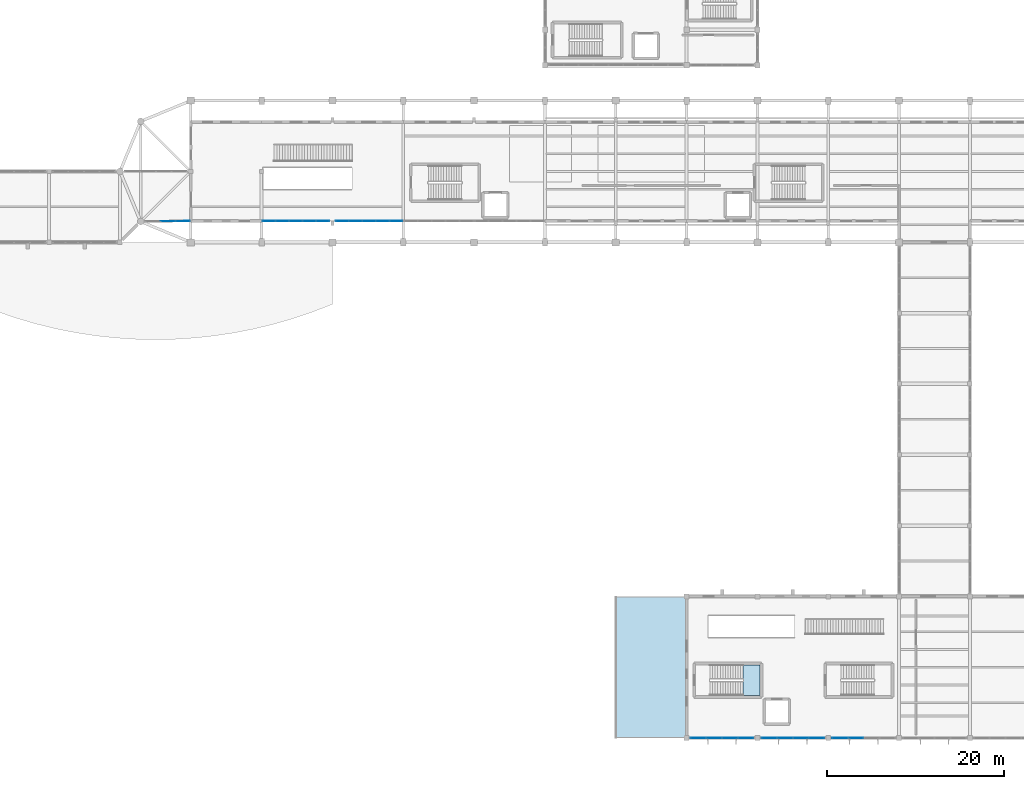
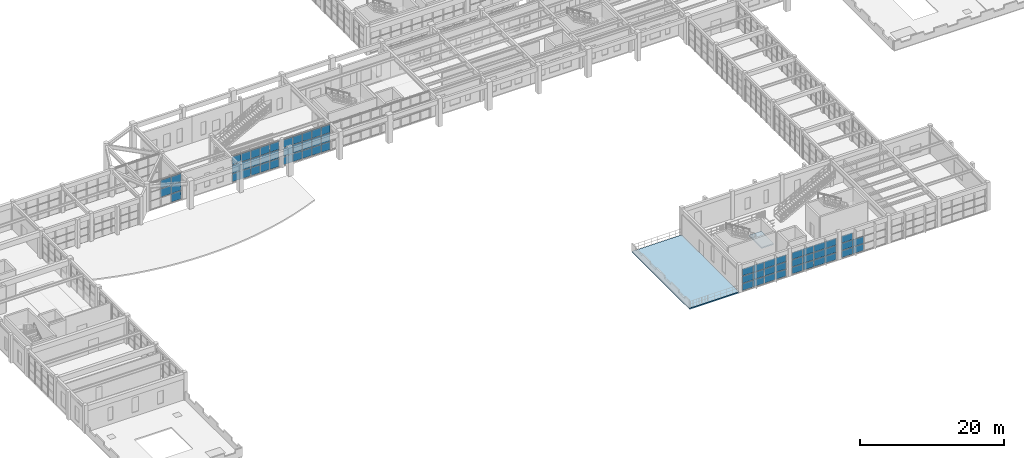
# One storey, part 30 of 59: 64 plates, 2 slabs, 7 elements without a shape of their own.
"""IFC4 building model written with IfcOpenShell, lengths in metres."""

import ifcopenshell
import ifcopenshell.guid

model = None  # the IFC model being written
_history = None  # IfcOwnerHistory: only IFC2X3 demands one
_inside = {}  # id of a spatial element -> (the spatial element, [elements in it])
_under = {}  # id of a project, library or spatial element -> (it, [spatial elements below it])
_declared = {}  # id of a project -> (the project, [libraries it declares])
_typed = {}  # id of a type object -> (the type object, [elements of that type])
_made_of = {}  # id of a material, layer set ... -> (it, [elements and type objects made of it])


def new_model(schema):
    """Start an empty IFC model of exactly this schema.

    Asked for "IFC4X3", IfcOpenShell would pick the latest addendum, in which some entities
    have other attributes; the version numbers below select the first issue.
    IFC2X3 requires an IfcOwnerHistory on every rooted entity: one is made here for all.
    """
    global model, _history
    if schema == "IFC4X3":
        model = ifcopenshell.file(schema_version=(4, 3, 0, 0))
    else:
        model = ifcopenshell.file(schema=schema)
    _inside.clear()
    _under.clear()
    _declared.clear()
    _typed.clear()
    _made_of.clear()
    _history = None
    if model.schema == "IFC2X3":
        org = make("IfcOrganization", Name="unknown")
        user = make(
            "IfcPersonAndOrganization",
            ThePerson=make("IfcPerson", FamilyName="unknown"),
            TheOrganization=org,
        )
        app = make(
            "IfcApplication",
            ApplicationDeveloper=org,
            Version="unknown",
            ApplicationFullName="unknown",
            ApplicationIdentifier="unknown",
        )
        _history = make(
            "IfcOwnerHistory",
            OwningUser=user,
            OwningApplication=app,
            ChangeAction="ADDED",
            CreationDate=0,
        )
    return model


def make(cls, **values):
    """One entity of the class cls with the attributes given. An attribute that is None is left unset."""
    return model.create_entity(
        cls, **{name: value for name, value in values.items() if value is not None}
    )


def rooted(cls, **values):
    """An entity with a GlobalId (a new one), such as an element, a storey or a relation."""
    return make(cls, GlobalId=ifcopenshell.guid.new(), OwnerHistory=_history, **values)


def si_unit(unit_type, name, prefix=None):
    """IfcSIUnit, for example si_unit("LENGTHUNIT", "METRE", prefix="MILLI")."""
    return make("IfcSIUnit", UnitType=unit_type, Prefix=prefix, Name=name)


def assignment(units):
    """IfcUnitAssignment: the units of a project."""
    return None if units is None else make("IfcUnitAssignment", Units=units)


def point(xyz):
    """IfcCartesianPoint."""
    return None if xyz is None else make("IfcCartesianPoint", Coordinates=xyz)


def direction(xyz):
    """IfcDirection."""
    return None if xyz is None else make("IfcDirection", DirectionRatios=xyz)


def frame(location, z_axis=None, x_axis=None):
    """IfcAxis2Placement3D, a coordinate frame: its origin and axes. An axis left out is left unset."""
    return make(
        "IfcAxis2Placement3D",
        Location=point(location),
        Axis=direction(z_axis),
        RefDirection=direction(x_axis),
    )


def frame_2d(location, x_axis=None):
    """IfcAxis2Placement2D, a coordinate frame in the plane: its origin and x axis."""
    return make(
        "IfcAxis2Placement2D", Location=point(location), RefDirection=direction(x_axis)
    )


def origin():
    """The frame at (0, 0, 0) with its axes left unset."""
    return frame((0.0, 0.0, 0.0))


def origin_2d():
    """The frame at (0, 0) in the plane with its x axis left unset."""
    return frame_2d((0.0, 0.0))


def place(relative_to, where):
    """IfcLocalPlacement: puts the frame where relative to a parent placement (None: the world)."""
    return make(
        "IfcLocalPlacement", PlacementRelTo=relative_to, RelativePlacement=where
    )


def context(
    kind, dimensions, precision=None, world=None, true_north=None, identifier=None
):
    """IfcGeometricRepresentationContext, for example the 3D "Model" context."""
    return make(
        "IfcGeometricRepresentationContext",
        ContextIdentifier=identifier,
        ContextType=kind,
        CoordinateSpaceDimension=dimensions,
        Precision=precision,
        WorldCoordinateSystem=world,
        TrueNorth=true_north,
    )


def subcontext(parent, identifier, kind, view, scale=None):
    """IfcGeometricRepresentationSubContext, for example "Body" below "Model"."""
    return make(
        "IfcGeometricRepresentationSubContext",
        ContextIdentifier=identifier,
        ContextType=kind,
        ParentContext=parent,
        TargetScale=scale,
        TargetView=view,
    )


def project(units=None, contexts=None):
    """IfcProject with its units and contexts."""
    return rooted(
        "IfcProject",
        Name="project",
        RepresentationContexts=contexts,
        UnitsInContext=assignment(units),
    )


def spatial(cls, under=None, at=None, **own):
    """A site, building, storey or space (cls), placed at a placement, below another one or the project."""
    s = rooted(cls, ObjectPlacement=at, **own)
    if under is not None:
        _under.setdefault(under.id(), (under, []))[1].append(s)
    return s


def polyline(points):
    """IfcPolyline through the points."""
    return make("IfcPolyline", Points=[point(p) for p in points])


def profile(cls, at=None, kind="AREA", **sizes):
    """A parametric profile (cls). Its sizes go by their IFC names, for example OverallWidth=200.0."""
    return make(cls, ProfileType=kind, Position=at, **sizes)


def rectangle(**sizes):
    """IfcRectangleProfileDef."""
    return profile("IfcRectangleProfileDef", **sizes)


def outline(outer, holes=None, kind="AREA"):
    """IfcArbitraryClosedProfileDef: a profile drawn as a closed curve; with holes, ...WithVoids."""
    if holes is None:
        return make("IfcArbitraryClosedProfileDef", ProfileType=kind, OuterCurve=outer)
    return make(
        "IfcArbitraryProfileDefWithVoids",
        ProfileType=kind,
        OuterCurve=outer,
        InnerCurves=holes,
    )


def extrude(swept, where, along, depth):
    """IfcExtrudedAreaSolid: the profile swept, set in the frame where, extruded along a direction by depth."""
    return make(
        "IfcExtrudedAreaSolid",
        SweptArea=swept,
        Position=where,
        ExtrudedDirection=direction(along),
        Depth=depth,
    )


def shape(context_of_items, identifier, shape_type, items):
    """IfcShapeRepresentation: the items that make up one representation, for example the "Body"."""
    return make(
        "IfcShapeRepresentation",
        ContextOfItems=context_of_items,
        RepresentationIdentifier=identifier,
        RepresentationType=shape_type,
        Items=items,
    )


def material(Name=None, Category=None):
    """IfcMaterial."""
    return make("IfcMaterial", Name=Name, Category=Category)


def layer(
    of_material, thickness, ventilated=None, Name=None, Category=None, Priority=None
):
    """IfcMaterialLayer: one layer of a wall or slab, of a material (None: an air gap)."""
    return make(
        "IfcMaterialLayer",
        Material=of_material,
        LayerThickness=thickness,
        IsVentilated=ventilated,
        Name=Name,
        Category=Category,
        Priority=Priority,
    )


def layer_set(layers, Name=None):
    """IfcMaterialLayerSet."""
    return make("IfcMaterialLayerSet", MaterialLayers=layers, LayerSetName=Name)


def made_of(thing, what):
    """Note that an element or type object is made of a material, layer set ...; save() writes the relation."""
    if what is not None:
        _made_of.setdefault(what.id(), (what, []))[1].append(thing)
    return thing


def type_object(cls, material=None, **own):
    """A type object (cls), such as IfcWallType, which elements share."""
    return made_of(rooted(cls, **own), material)


def element(
    cls,
    number,
    at=None,
    inside=None,
    cuts=None,
    type_object=None,
    material=None,
    context=None,
    identifier="Body",
    shape_type=None,
    held_by="IfcProductDefinitionShape",
    body=None,
    shapes=None,
    **own,
):
    """One element of the class cls, such as IfcWall. Its Tag is "e" and its number.

    at: its placement. inside: the storey or other place that contains it. cuts: it is an
    opening in that element (IfcRelVoidsElement). A single representation is given by context,
    identifier, shape_type and body (its items); several are given by shapes. held_by: the class
    of the entity that holds the representations. save() writes the other relations.
    """
    e = rooted(cls, Tag="e%d" % number, ObjectPlacement=at, **own)
    if body is not None:
        shapes = [shape(context, identifier, shape_type, body)]
    if shapes is not None:
        e.Representation = make(held_by, Representations=shapes)
    if inside is not None:
        _inside.setdefault(inside.id(), (inside, []))[1].append(e)
    if cuts is not None:
        rooted(
            "IfcRelVoidsElement", RelatingBuildingElement=cuts, RelatedOpeningElement=e
        )
    if type_object is not None:
        _typed.setdefault(type_object.id(), (type_object, []))[1].append(e)
    return made_of(e, material)


def aggregate(whole, parts):
    """IfcRelAggregates: a whole, such as a stair, and the parts it consists of."""
    return rooted("IfcRelAggregates", RelatingObject=whole, RelatedObjects=parts)


def save(model, path):
    """Write the relations noted so far, then the file.

    IfcRelAggregates (storeys below a building ...), IfcRelContainedInSpatialStructure (elements
    in a storey), IfcRelDefinesByType, IfcRelAssociatesMaterial and IfcRelDeclares: one each for
    every whole, place, type object, material and project.
    """
    for whole, parts in _under.values():
        aggregate(whole, parts)
    for where, things in _inside.values():
        rooted(
            "IfcRelContainedInSpatialStructure",
            RelatedElements=things,
            RelatingStructure=where,
        )
    for kind, things in _typed.values():
        rooted("IfcRelDefinesByType", RelatedObjects=things, RelatingType=kind)
    for what, things in _made_of.values():
        rooted("IfcRelAssociatesMaterial", RelatedObjects=things, RelatingMaterial=what)
    for by, libraries in _declared.values():
        rooted("IfcRelDeclares", RelatingContext=by, RelatedDefinitions=libraries)
    model.write(path)


model = new_model("IFC4")

# Units and contexts
model_context = context("Model", 3, precision=1e-05, world=origin(), true_north=direction((0.0, 1.0)))
body_context = subcontext(model_context, "Body", "Model", "MODEL_VIEW")
ifc_project = project(units=[si_unit("LENGTHUNIT", "METRE"), si_unit("AREAUNIT", "SQUARE_METRE"), si_unit("VOLUMEUNIT", "CUBIC_METRE"), si_unit("PLANEANGLEUNIT", "RADIAN"), si_unit("MASSUNIT", "GRAM", prefix="KILO")], contexts=[model_context])

# Site, building, storey
site_placement = place(None, origin())
site = spatial("IfcSite", under=ifc_project, at=site_placement, CompositionType="ELEMENT")
building_placement = place(site_placement, origin())
building = spatial("IfcBuilding", under=site, at=building_placement, Name="Serraluz Foothill Cableway Terminal", CompositionType="ELEMENT")
storey_placement = place(building_placement, frame((0.0, 0.0, 4.800048828125)))
storey = spatial("IfcBuildingStorey", under=building, at=storey_placement, Name="L01", CompositionType="ELEMENT", Elevation=4.800048828125)

# Curtain wall, plates
ifc_material_1 = material(Name="Architectural bronze alloy C28000", Category="aluminium")
curtain_wall_type_1 = type_object("IfcCurtainWallType", Name="TYP-CW-730X430", PredefinedType="NOTDEFINED", material=ifc_material_1)
curtain_wall_1_placement = place(storey_placement, origin())
curtain_wall_1 = element("IfcCurtainWall", 1, at=curtain_wall_1_placement, inside=storey, type_object=curtain_wall_type_1, Name="Ribbed Glazed Curtain Wall CW-V1S-L01-48", PredefinedType="NOTDEFINED")
ifc_material_2 = material(Name="Translucent ribbed laminated channel glass", Category="glass")
ifc_layer_1 = layer(ifc_material_2, 0.028076171875, Name="Translucent ribbed laminated channel glass", Category="glass")
ifc_layer_set_1 = layer_set([ifc_layer_1], Name="Translucent ribbed laminated channel glass")
plate_type_1 = type_object("IfcPlateType", Name="TYP-CW-PNL-28", PredefinedType="CURTAIN_PANEL", material=ifc_layer_set_1)
plate_1_placement = place(storey_placement, frame((54.90673828125, 58.39990234375, 0.06005859375), z_axis=(0.0, 0.0, 1.0), x_axis=(-1.0, 0.0, 0.0)))
plate_1 = element("IfcPlate", 2, at=plate_1_placement, type_object=plate_type_1, Name="CW-05 panel 1.1", PredefinedType="CURTAIN_PANEL", context=body_context, shape_type="SweptSolid", body=[
    extrude(rectangle(XDim=1.4365234375, YDim=0.028076171875, at=origin_2d()), origin(), (0.0, 0.0, 1.0), 1.38330078125),
])
plate_2_placement = place(storey_placement, frame((54.90673828125, 58.39990234375, 1.50341796875), z_axis=(0.0, 0.0, 1.0), x_axis=(-1.0, 0.0, 0.0)))
plate_2 = element("IfcPlate", 3, at=plate_2_placement, type_object=plate_type_1, Name="CW-05 panel 1.2", PredefinedType="CURTAIN_PANEL", context=body_context, shape_type="SweptSolid", body=[
    extrude(rectangle(XDim=1.4365234375, YDim=0.028076171875, at=origin_2d()), origin(), (0.0, 0.0, 1.0), 1.413330078125),
])
plate_3_placement = place(storey_placement, frame((54.90673828125, 58.39990234375, 2.9765625), z_axis=(0.0, 0.0, 1.0), x_axis=(-1.0, 0.0, 0.0)))
plate_3 = element("IfcPlate", 4, at=plate_3_placement, type_object=plate_type_1, Name="CW-05 panel 1.3", PredefinedType="CURTAIN_PANEL", context=body_context, shape_type="SweptSolid", body=[
    extrude(rectangle(XDim=1.4365234375, YDim=0.028076171875, at=origin_2d()), origin(), (0.0, 0.0, 1.0), 1.38330078125),
])
plate_4_placement = place(storey_placement, frame((53.39501953125, 58.39990234375, 0.06005859375), z_axis=(0.0, 0.0, 1.0), x_axis=(-1.0, 0.0, 0.0)))
plate_4 = element("IfcPlate", 5, at=plate_4_placement, type_object=plate_type_1, Name="CW-05 panel 2.1", PredefinedType="CURTAIN_PANEL", context=body_context, shape_type="SweptSolid", body=[
    extrude(rectangle(XDim=1.466552734375, YDim=0.028076171875, at=origin_2d()), origin(), (0.0, 0.0, 1.0), 1.38330078125),
])
plate_5_placement = place(storey_placement, frame((53.39501953125, 58.39990234375, 1.50341796875), z_axis=(0.0, 0.0, 1.0), x_axis=(-1.0, 0.0, 0.0)))
plate_5 = element("IfcPlate", 6, at=plate_5_placement, type_object=plate_type_1, Name="CW-05 panel 2.2", PredefinedType="CURTAIN_PANEL", context=body_context, shape_type="SweptSolid", body=[
    extrude(rectangle(XDim=1.466552734375, YDim=0.028076171875, at=origin_2d()), origin(), (0.0, 0.0, 1.0), 1.413330078125),
])
plate_6_placement = place(storey_placement, frame((53.39501953125, 58.39990234375, 2.9765625), z_axis=(0.0, 0.0, 1.0), x_axis=(-1.0, 0.0, 0.0)))
plate_6 = element("IfcPlate", 7, at=plate_6_placement, type_object=plate_type_1, Name="CW-05 panel 2.3", PredefinedType="CURTAIN_PANEL", context=body_context, shape_type="SweptSolid", body=[
    extrude(rectangle(XDim=1.466552734375, YDim=0.028076171875, at=origin_2d()), origin(), (0.0, 0.0, 1.0), 1.38330078125),
])
plate_7_placement = place(storey_placement, frame((51.868408203125, 58.39990234375, 0.06005859375), z_axis=(0.0, 0.0, 1.0), x_axis=(-1.0, 0.0, 0.0)))
plate_7 = element("IfcPlate", 8, at=plate_7_placement, type_object=plate_type_1, Name="CW-05 panel 3.1", PredefinedType="CURTAIN_PANEL", context=body_context, shape_type="SweptSolid", body=[
    extrude(rectangle(XDim=1.466552734375, YDim=0.028076171875, at=origin_2d()), origin(), (0.0, 0.0, 1.0), 1.38330078125),
])
plate_8_placement = place(storey_placement, frame((51.868408203125, 58.39990234375, 1.50341796875), z_axis=(0.0, 0.0, 1.0), x_axis=(-1.0, 0.0, 0.0)))
plate_8 = element("IfcPlate", 9, at=plate_8_placement, type_object=plate_type_1, Name="CW-05 panel 3.2", PredefinedType="CURTAIN_PANEL", context=body_context, shape_type="SweptSolid", body=[
    extrude(rectangle(XDim=1.466552734375, YDim=0.028076171875, at=origin_2d()), origin(), (0.0, 0.0, 1.0), 1.413330078125),
])
plate_9_placement = place(storey_placement, frame((51.868408203125, 58.39990234375, 2.9765625), z_axis=(0.0, 0.0, 1.0), x_axis=(-1.0, 0.0, 0.0)))
plate_9 = element("IfcPlate", 10, at=plate_9_placement, type_object=plate_type_1, Name="CW-05 panel 3.3", PredefinedType="CURTAIN_PANEL", context=body_context, shape_type="SweptSolid", body=[
    extrude(rectangle(XDim=1.466552734375, YDim=0.028076171875, at=origin_2d()), origin(), (0.0, 0.0, 1.0), 1.38330078125),
])
plate_10_placement = place(storey_placement, frame((50.341796875, 58.39990234375, 0.06005859375), z_axis=(0.0, 0.0, 1.0), x_axis=(-1.0, 0.0, 0.0)))
plate_10 = element("IfcPlate", 11, at=plate_10_placement, type_object=plate_type_1, Name="CW-05 panel 4.1", PredefinedType="CURTAIN_PANEL", context=body_context, shape_type="SweptSolid", body=[
    extrude(rectangle(XDim=1.466552734375, YDim=0.028076171875, at=origin_2d()), origin(), (0.0, 0.0, 1.0), 1.38330078125),
])
plate_11_placement = place(storey_placement, frame((50.341796875, 58.39990234375, 1.50341796875), z_axis=(0.0, 0.0, 1.0), x_axis=(-1.0, 0.0, 0.0)))
plate_11 = element("IfcPlate", 12, at=plate_11_placement, type_object=plate_type_1, Name="CW-05 panel 4.2", PredefinedType="CURTAIN_PANEL", context=body_context, shape_type="SweptSolid", body=[
    extrude(rectangle(XDim=1.466552734375, YDim=0.028076171875, at=origin_2d()), origin(), (0.0, 0.0, 1.0), 1.413330078125),
])
plate_12_placement = place(storey_placement, frame((50.341796875, 58.39990234375, 2.9765625), z_axis=(0.0, 0.0, 1.0), x_axis=(-1.0, 0.0, 0.0)))
plate_12 = element("IfcPlate", 13, at=plate_12_placement, type_object=plate_type_1, Name="CW-05 panel 4.3", PredefinedType="CURTAIN_PANEL", context=body_context, shape_type="SweptSolid", body=[
    extrude(rectangle(XDim=1.466552734375, YDim=0.028076171875, at=origin_2d()), origin(), (0.0, 0.0, 1.0), 1.38330078125),
])
plate_13_placement = place(storey_placement, frame((48.830322265625, 58.39990234375, 0.06005859375), z_axis=(0.0, 0.0, 1.0), x_axis=(-1.0, 0.0, 0.0)))
plate_13 = element("IfcPlate", 14, at=plate_13_placement, type_object=plate_type_1, Name="CW-05 panel 5.1", PredefinedType="CURTAIN_PANEL", context=body_context, shape_type="SweptSolid", body=[
    extrude(rectangle(XDim=1.4365234375, YDim=0.028076171875, at=origin_2d()), origin(), (0.0, 0.0, 1.0), 1.38330078125),
])
plate_14_placement = place(storey_placement, frame((48.830322265625, 58.39990234375, 1.50341796875), z_axis=(0.0, 0.0, 1.0), x_axis=(-1.0, 0.0, 0.0)))
plate_14 = element("IfcPlate", 15, at=plate_14_placement, type_object=plate_type_1, Name="CW-05 panel 5.2", PredefinedType="CURTAIN_PANEL", context=body_context, shape_type="SweptSolid", body=[
    extrude(rectangle(XDim=1.4365234375, YDim=0.028076171875, at=origin_2d()), origin(), (0.0, 0.0, 1.0), 1.413330078125),
])
plate_15_placement = place(storey_placement, frame((48.830322265625, 58.39990234375, 2.9765625), z_axis=(0.0, 0.0, 1.0), x_axis=(-1.0, 0.0, 0.0)))
plate_15 = element("IfcPlate", 16, at=plate_15_placement, type_object=plate_type_1, Name="CW-05 panel 5.3", PredefinedType="CURTAIN_PANEL", context=body_context, shape_type="SweptSolid", body=[
    extrude(rectangle(XDim=1.4365234375, YDim=0.028076171875, at=origin_2d()), origin(), (0.0, 0.0, 1.0), 1.38330078125),
])
aggregate(curtain_wall_1, [plate_1, plate_2, plate_3, plate_4, plate_5, plate_6, plate_7, plate_8, plate_9, plate_10, plate_11, plate_12, plate_13, plate_14, plate_15])

curtain_wall_type_2 = type_object("IfcCurtainWallType", Name="TYP-CW-740X440", PredefinedType="NOTDEFINED", material=ifc_material_1)
curtain_wall_2_placement = place(storey_placement, origin())
curtain_wall_2 = element("IfcCurtainWall", 17, at=curtain_wall_2_placement, inside=storey, type_object=curtain_wall_type_2, Name="Ribbed Glazed Curtain Wall CW-V1S-L01-56", PredefinedType="NOTDEFINED")
plate_16_placement = place(storey_placement, frame((63.169677734375, 58.39990234375, 0.06005859375), z_axis=(0.0, 0.0, 1.0), x_axis=(-1.0, 0.0, 0.0)))
plate_16 = element("IfcPlate", 18, at=plate_16_placement, type_object=plate_type_1, Name="CW-06 panel 1.1", PredefinedType="CURTAIN_PANEL", context=body_context, shape_type="SweptSolid", body=[
    extrude(rectangle(XDim=1.4365234375, YDim=0.028076171875, at=origin_2d()), origin(), (0.0, 0.0, 1.0), 1.38330078125),
])
plate_17_placement = place(storey_placement, frame((63.169677734375, 58.39990234375, 1.50341796875), z_axis=(0.0, 0.0, 1.0), x_axis=(-1.0, 0.0, 0.0)))
plate_17 = element("IfcPlate", 19, at=plate_17_placement, type_object=plate_type_1, Name="CW-06 panel 1.2", PredefinedType="CURTAIN_PANEL", context=body_context, shape_type="SweptSolid", body=[
    extrude(rectangle(XDim=1.4365234375, YDim=0.028076171875, at=origin_2d()), origin(), (0.0, 0.0, 1.0), 1.413330078125),
])
plate_18_placement = place(storey_placement, frame((63.169677734375, 58.39990234375, 2.9765625), z_axis=(0.0, 0.0, 1.0), x_axis=(-1.0, 0.0, 0.0)))
plate_18 = element("IfcPlate", 20, at=plate_18_placement, type_object=plate_type_1, Name="CW-06 panel 1.3", PredefinedType="CURTAIN_PANEL", context=body_context, shape_type="SweptSolid", body=[
    extrude(rectangle(XDim=1.4365234375, YDim=0.028076171875, at=origin_2d()), origin(), (0.0, 0.0, 1.0), 1.38330078125),
])
plate_19_placement = place(storey_placement, frame((61.658203125, 58.39990234375, 0.06005859375), z_axis=(0.0, 0.0, 1.0), x_axis=(-1.0, 0.0, 0.0)))
plate_19 = element("IfcPlate", 21, at=plate_19_placement, type_object=plate_type_1, Name="CW-06 panel 2.1", PredefinedType="CURTAIN_PANEL", context=body_context, shape_type="SweptSolid", body=[
    extrude(rectangle(XDim=1.466552734375, YDim=0.028076171875, at=origin_2d()), origin(), (0.0, 0.0, 1.0), 1.38330078125),
])
plate_20_placement = place(storey_placement, frame((61.658203125, 58.39990234375, 1.50341796875), z_axis=(0.0, 0.0, 1.0), x_axis=(-1.0, 0.0, 0.0)))
plate_20 = element("IfcPlate", 22, at=plate_20_placement, type_object=plate_type_1, Name="CW-06 panel 2.2", PredefinedType="CURTAIN_PANEL", context=body_context, shape_type="SweptSolid", body=[
    extrude(rectangle(XDim=1.466552734375, YDim=0.028076171875, at=origin_2d()), origin(), (0.0, 0.0, 1.0), 1.413330078125),
])
plate_21_placement = place(storey_placement, frame((61.658203125, 58.39990234375, 2.9765625), z_axis=(0.0, 0.0, 1.0), x_axis=(-1.0, 0.0, 0.0)))
plate_21 = element("IfcPlate", 23, at=plate_21_placement, type_object=plate_type_1, Name="CW-06 panel 2.3", PredefinedType="CURTAIN_PANEL", context=body_context, shape_type="SweptSolid", body=[
    extrude(rectangle(XDim=1.466552734375, YDim=0.028076171875, at=origin_2d()), origin(), (0.0, 0.0, 1.0), 1.38330078125),
])
plate_22_placement = place(storey_placement, frame((60.131591796875, 58.39990234375, 0.06005859375), z_axis=(0.0, 0.0, 1.0), x_axis=(-1.0, 0.0, 0.0)))
plate_22 = element("IfcPlate", 24, at=plate_22_placement, type_object=plate_type_1, Name="CW-06 panel 3.1", PredefinedType="CURTAIN_PANEL", context=body_context, shape_type="SweptSolid", body=[
    extrude(rectangle(XDim=1.466552734375, YDim=0.028076171875, at=origin_2d()), origin(), (0.0, 0.0, 1.0), 1.38330078125),
])
plate_23_placement = place(storey_placement, frame((60.131591796875, 58.39990234375, 1.50341796875), z_axis=(0.0, 0.0, 1.0), x_axis=(-1.0, 0.0, 0.0)))
plate_23 = element("IfcPlate", 25, at=plate_23_placement, type_object=plate_type_1, Name="CW-06 panel 3.2", PredefinedType="CURTAIN_PANEL", context=body_context, shape_type="SweptSolid", body=[
    extrude(rectangle(XDim=1.466552734375, YDim=0.028076171875, at=origin_2d()), origin(), (0.0, 0.0, 1.0), 1.413330078125),
])
plate_24_placement = place(storey_placement, frame((60.131591796875, 58.39990234375, 2.9765625), z_axis=(0.0, 0.0, 1.0), x_axis=(-1.0, 0.0, 0.0)))
plate_24 = element("IfcPlate", 26, at=plate_24_placement, type_object=plate_type_1, Name="CW-06 panel 3.3", PredefinedType="CURTAIN_PANEL", context=body_context, shape_type="SweptSolid", body=[
    extrude(rectangle(XDim=1.466552734375, YDim=0.028076171875, at=origin_2d()), origin(), (0.0, 0.0, 1.0), 1.38330078125),
])
plate_25_placement = place(storey_placement, frame((58.60498046875, 58.39990234375, 0.06005859375), z_axis=(0.0, 0.0, 1.0), x_axis=(-1.0, 0.0, 0.0)))
plate_25 = element("IfcPlate", 27, at=plate_25_placement, type_object=plate_type_1, Name="CW-06 panel 4.1", PredefinedType="CURTAIN_PANEL", context=body_context, shape_type="SweptSolid", body=[
    extrude(rectangle(XDim=1.466552734375, YDim=0.028076171875, at=origin_2d()), origin(), (0.0, 0.0, 1.0), 1.38330078125),
])
plate_26_placement = place(storey_placement, frame((58.60498046875, 58.39990234375, 1.50341796875), z_axis=(0.0, 0.0, 1.0), x_axis=(-1.0, 0.0, 0.0)))
plate_26 = element("IfcPlate", 28, at=plate_26_placement, type_object=plate_type_1, Name="CW-06 panel 4.2", PredefinedType="CURTAIN_PANEL", context=body_context, shape_type="SweptSolid", body=[
    extrude(rectangle(XDim=1.466552734375, YDim=0.028076171875, at=origin_2d()), origin(), (0.0, 0.0, 1.0), 1.413330078125),
])
plate_27_placement = place(storey_placement, frame((58.60498046875, 58.39990234375, 2.9765625), z_axis=(0.0, 0.0, 1.0), x_axis=(-1.0, 0.0, 0.0)))
plate_27 = element("IfcPlate", 29, at=plate_27_placement, type_object=plate_type_1, Name="CW-06 panel 4.3", PredefinedType="CURTAIN_PANEL", context=body_context, shape_type="SweptSolid", body=[
    extrude(rectangle(XDim=1.466552734375, YDim=0.028076171875, at=origin_2d()), origin(), (0.0, 0.0, 1.0), 1.38330078125),
])
plate_28_placement = place(storey_placement, frame((57.09326171875, 58.39990234375, 0.06005859375), z_axis=(0.0, 0.0, 1.0), x_axis=(-1.0, 0.0, 0.0)))
plate_28 = element("IfcPlate", 30, at=plate_28_placement, type_object=plate_type_1, Name="CW-06 panel 5.1", PredefinedType="CURTAIN_PANEL", context=body_context, shape_type="SweptSolid", body=[
    extrude(rectangle(XDim=1.4365234375, YDim=0.028076171875, at=origin_2d()), origin(), (0.0, 0.0, 1.0), 1.38330078125),
])
plate_29_placement = place(storey_placement, frame((57.09326171875, 58.39990234375, 1.50341796875), z_axis=(0.0, 0.0, 1.0), x_axis=(-1.0, 0.0, 0.0)))
plate_29 = element("IfcPlate", 31, at=plate_29_placement, type_object=plate_type_1, Name="CW-06 panel 5.2", PredefinedType="CURTAIN_PANEL", context=body_context, shape_type="SweptSolid", body=[
    extrude(rectangle(XDim=1.4365234375, YDim=0.028076171875, at=origin_2d()), origin(), (0.0, 0.0, 1.0), 1.413330078125),
])
plate_30_placement = place(storey_placement, frame((57.09326171875, 58.39990234375, 2.9765625), z_axis=(0.0, 0.0, 1.0), x_axis=(-1.0, 0.0, 0.0)))
plate_30 = element("IfcPlate", 32, at=plate_30_placement, type_object=plate_type_1, Name="CW-06 panel 5.3", PredefinedType="CURTAIN_PANEL", context=body_context, shape_type="SweptSolid", body=[
    extrude(rectangle(XDim=1.4365234375, YDim=0.028076171875, at=origin_2d()), origin(), (0.0, 0.0, 1.0), 1.38330078125),
])
aggregate(curtain_wall_2, [plate_16, plate_17, plate_18, plate_19, plate_20, plate_21, plate_22, plate_23, plate_24, plate_25, plate_26, plate_27, plate_28, plate_29, plate_30])

curtain_wall_type_3 = type_object("IfcCurtainWallType", Name="TYP-CW-540X420", PredefinedType="NOTDEFINED", material=ifc_material_1)
curtain_wall_3_placement = place(storey_placement, origin())
curtain_wall_3 = element("IfcCurtainWall", 33, at=curtain_wall_3_placement, inside=storey, type_object=curtain_wall_type_3, Name="Ribbed Glazed Curtain Wall CW-WLS-L01-32", PredefinedType="NOTDEFINED")
plate_31_placement = place(storey_placement, frame((39.085205078125, 58.390869140625, 0.06005859375), z_axis=(0.0, 0.0, 1.0), x_axis=(-0.999949335107, -0.010066142226, 0.0)))
plate_31 = element("IfcPlate", 34, at=plate_31_placement, type_object=plate_type_1, Name="CW-10 panel 1.1", PredefinedType="CURTAIN_PANEL", context=body_context, shape_type="SweptSolid", body=[
    extrude(rectangle(XDim=1.60546875, YDim=0.028076171875, at=origin_2d()), origin(), (0.0, 0.0, 1.0), 1.401611328125),
])
plate_32_placement = place(storey_placement, frame((39.085205078125, 58.390869140625, 1.521728515625), z_axis=(0.0, 0.0, 1.0), x_axis=(-0.999949335107, -0.010066142226, 0.0)))
plate_32 = element("IfcPlate", 35, at=plate_32_placement, type_object=plate_type_1, Name="CW-10 panel 1.2", PredefinedType="CURTAIN_PANEL", context=body_context, shape_type="SweptSolid", body=[
    extrude(rectangle(XDim=1.60546875, YDim=0.028076171875, at=origin_2d()), origin(), (0.0, 0.0, 1.0), 1.431640625),
])
plate_33_placement = place(storey_placement, frame((39.085205078125, 58.390869140625, 3.01318359375), z_axis=(0.0, 0.0, 1.0), x_axis=(-0.999949335107, -0.010066142226, 0.0)))
plate_33 = element("IfcPlate", 36, at=plate_33_placement, type_object=plate_type_1, Name="CW-10 panel 1.3", PredefinedType="CURTAIN_PANEL", context=body_context, shape_type="SweptSolid", body=[
    extrude(rectangle(XDim=1.60546875, YDim=0.028076171875, at=origin_2d()), origin(), (0.0, 0.0, 1.0), 1.401611328125),
])
plate_34_placement = place(storey_placement, frame((37.405029296875, 58.373779296875, 1.521728515625), z_axis=(0.0, 0.0, 1.0), x_axis=(-0.999949335107, -0.010066142226, 0.0)))
plate_34 = element("IfcPlate", 37, at=plate_34_placement, type_object=plate_type_1, Name="CW-10 panel 2.2", PredefinedType="CURTAIN_PANEL", context=body_context, shape_type="SweptSolid", body=[
    extrude(rectangle(XDim=1.635498046875, YDim=0.028076171875, at=origin_2d()), origin(), (0.0, 0.0, 1.0), 1.431640625),
])
plate_35_placement = place(storey_placement, frame((37.405029296875, 58.373779296875, 3.01318359375), z_axis=(0.0, 0.0, 1.0), x_axis=(-0.999949335107, -0.010066142226, 0.0)))
plate_35 = element("IfcPlate", 38, at=plate_35_placement, type_object=plate_type_1, Name="CW-10 panel 2.3", PredefinedType="CURTAIN_PANEL", context=body_context, shape_type="SweptSolid", body=[
    extrude(rectangle(XDim=1.635498046875, YDim=0.028076171875, at=origin_2d()), origin(), (0.0, 0.0, 1.0), 1.401611328125),
])
aggregate(curtain_wall_3, [plate_31, plate_32, plate_33, plate_34, plate_35])

curtain_wall_type_4 = type_object("IfcCurtainWallType", Name="TYP-CW-680X420", PredefinedType="NOTDEFINED", material=ifc_material_1)
curtain_wall_4_placement = place(storey_placement, origin())
curtain_wall_4 = element("IfcCurtainWall", 39, at=curtain_wall_4_placement, inside=storey, type_object=curtain_wall_type_4, Name="Ribbed Glazed Curtain Wall CW-V3S-L01-96", PredefinedType="NOTDEFINED")
ifc_material_3 = material(Name="Laminated low-E safety glass", Category="glass")
ifc_layer_2 = layer(ifc_material_3, 0.031982421875, Name="Laminated low-E safety glass", Category="glass")
ifc_layer_set_2 = layer_set([ifc_layer_2], Name="Laminated low-E safety glass")
plate_type_2 = type_object("IfcPlateType", Name="TYP-CW-PNL-32", PredefinedType="CURTAIN_PANEL", material=ifc_layer_set_2)
plate_36_placement = place(storey_placement, frame((102.673828125, 0.0, 0.059814453125), z_axis=(0.0, 0.0, 1.0), x_axis=(-1.0, 0.0, 0.0)))
plate_36 = element("IfcPlate", 40, at=plate_36_placement, type_object=plate_type_2, Name="CW-13 panel 1.1", PredefinedType="CURTAIN_PANEL", context=body_context, shape_type="SweptSolid", body=[
    extrude(rectangle(XDim=1.702392578125, YDim=0.031982421875, at=origin_2d()), origin(), (0.0, 0.0, 1.0), 1.17333984375),
])
plate_37_placement = place(storey_placement, frame((102.673828125, 0.0, 1.29345703125), z_axis=(0.0, 0.0, 1.0), x_axis=(-1.0, 0.0, 0.0)))
plate_37 = element("IfcPlate", 41, at=plate_37_placement, type_object=plate_type_2, Name="CW-13 panel 1.2", PredefinedType="CURTAIN_PANEL", context=body_context, shape_type="SweptSolid", body=[
    extrude(rectangle(XDim=1.702392578125, YDim=0.031982421875, at=origin_2d()), origin(), (0.0, 0.0, 1.0), 1.203369140625),
])
plate_38_placement = place(storey_placement, frame((102.673828125, 0.0, 2.556640625), z_axis=(0.0, 0.0, 1.0), x_axis=(-1.0, 0.0, 0.0)))
plate_38 = element("IfcPlate", 42, at=plate_38_placement, type_object=plate_type_2, Name="CW-13 panel 1.3", PredefinedType="CURTAIN_PANEL", context=body_context, shape_type="SweptSolid", body=[
    extrude(rectangle(XDim=1.702392578125, YDim=0.031982421875, at=origin_2d()), origin(), (0.0, 0.0, 1.0), 1.17333984375),
])
plate_39_placement = place(storey_placement, frame((100.896240234375, 0.0, 0.059814453125), z_axis=(0.0, 0.0, 1.0), x_axis=(-1.0, 0.0, 0.0)))
plate_39 = element("IfcPlate", 43, at=plate_39_placement, type_object=plate_type_2, Name="CW-13 panel 2.1", PredefinedType="CURTAIN_PANEL", context=body_context, shape_type="SweptSolid", body=[
    extrude(rectangle(XDim=1.732421875, YDim=0.031982421875, at=origin_2d()), origin(), (0.0, 0.0, 1.0), 1.17333984375),
])
plate_40_placement = place(storey_placement, frame((100.896240234375, 0.0, 1.29345703125), z_axis=(0.0, 0.0, 1.0), x_axis=(-1.0, 0.0, 0.0)))
plate_40 = element("IfcPlate", 44, at=plate_40_placement, type_object=plate_type_2, Name="CW-13 panel 2.2", PredefinedType="CURTAIN_PANEL", context=body_context, shape_type="SweptSolid", body=[
    extrude(rectangle(XDim=1.732421875, YDim=0.031982421875, at=origin_2d()), origin(), (0.0, 0.0, 1.0), 1.203369140625),
])
plate_41_placement = place(storey_placement, frame((100.896240234375, 0.0, 2.556640625), z_axis=(0.0, 0.0, 1.0), x_axis=(-1.0, 0.0, 0.0)))
plate_41 = element("IfcPlate", 45, at=plate_41_placement, type_object=plate_type_2, Name="CW-13 panel 2.3", PredefinedType="CURTAIN_PANEL", context=body_context, shape_type="SweptSolid", body=[
    extrude(rectangle(XDim=1.732421875, YDim=0.031982421875, at=origin_2d()), origin(), (0.0, 0.0, 1.0), 1.17333984375),
])
plate_42_placement = place(storey_placement, frame((99.103759765625, 0.0, 0.059814453125), z_axis=(0.0, 0.0, 1.0), x_axis=(-1.0, 0.0, 0.0)))
plate_42 = element("IfcPlate", 46, at=plate_42_placement, type_object=plate_type_2, Name="CW-13 panel 3.1", PredefinedType="CURTAIN_PANEL", context=body_context, shape_type="SweptSolid", body=[
    extrude(rectangle(XDim=1.732421875, YDim=0.031982421875, at=origin_2d()), origin(), (0.0, 0.0, 1.0), 1.17333984375),
])
plate_43_placement = place(storey_placement, frame((99.103759765625, 0.0, 1.29345703125), z_axis=(0.0, 0.0, 1.0), x_axis=(-1.0, 0.0, 0.0)))
plate_43 = element("IfcPlate", 47, at=plate_43_placement, type_object=plate_type_2, Name="CW-13 panel 3.2", PredefinedType="CURTAIN_PANEL", context=body_context, shape_type="SweptSolid", body=[
    extrude(rectangle(XDim=1.732421875, YDim=0.031982421875, at=origin_2d()), origin(), (0.0, 0.0, 1.0), 1.203369140625),
])
plate_44_placement = place(storey_placement, frame((99.103759765625, 0.0, 2.556640625), z_axis=(0.0, 0.0, 1.0), x_axis=(-1.0, 0.0, 0.0)))
plate_44 = element("IfcPlate", 48, at=plate_44_placement, type_object=plate_type_2, Name="CW-13 panel 3.3", PredefinedType="CURTAIN_PANEL", context=body_context, shape_type="SweptSolid", body=[
    extrude(rectangle(XDim=1.732421875, YDim=0.031982421875, at=origin_2d()), origin(), (0.0, 0.0, 1.0), 1.17333984375),
])
plate_45_placement = place(storey_placement, frame((97.326171875, 0.0, 0.059814453125), z_axis=(0.0, 0.0, 1.0), x_axis=(-1.0, 0.0, 0.0)))
plate_45 = element("IfcPlate", 49, at=plate_45_placement, type_object=plate_type_2, Name="CW-13 panel 4.1", PredefinedType="CURTAIN_PANEL", context=body_context, shape_type="SweptSolid", body=[
    extrude(rectangle(XDim=1.702392578125, YDim=0.031982421875, at=origin_2d()), origin(), (0.0, 0.0, 1.0), 1.17333984375),
])
plate_46_placement = place(storey_placement, frame((97.326171875, 0.0, 1.29345703125), z_axis=(0.0, 0.0, 1.0), x_axis=(-1.0, 0.0, 0.0)))
plate_46 = element("IfcPlate", 50, at=plate_46_placement, type_object=plate_type_2, Name="CW-13 panel 4.2", PredefinedType="CURTAIN_PANEL", context=body_context, shape_type="SweptSolid", body=[
    extrude(rectangle(XDim=1.702392578125, YDim=0.031982421875, at=origin_2d()), origin(), (0.0, 0.0, 1.0), 1.203369140625),
])
plate_47_placement = place(storey_placement, frame((97.326171875, 0.0, 2.556640625), z_axis=(0.0, 0.0, 1.0), x_axis=(-1.0, 0.0, 0.0)))
plate_47 = element("IfcPlate", 51, at=plate_47_placement, type_object=plate_type_2, Name="CW-13 panel 4.3", PredefinedType="CURTAIN_PANEL", context=body_context, shape_type="SweptSolid", body=[
    extrude(rectangle(XDim=1.702392578125, YDim=0.031982421875, at=origin_2d()), origin(), (0.0, 0.0, 1.0), 1.17333984375),
])
aggregate(curtain_wall_4, [plate_36, plate_37, plate_38, plate_39, plate_40, plate_41, plate_42, plate_43, plate_44, plate_45, plate_46, plate_47])

curtain_wall_type_5 = type_object("IfcCurtainWallType", Name="TYP-CW-480X380", PredefinedType="NOTDEFINED", material=ifc_material_1)
curtain_wall_5_placement = place(storey_placement, origin())
curtain_wall_5 = element("IfcCurtainWall", 52, at=curtain_wall_5_placement, inside=storey, type_object=curtain_wall_type_5, Name="Ribbed Glazed Curtain Wall CW-V3S-L01-104", PredefinedType="NOTDEFINED")
plate_48_placement = place(storey_placement, frame((110.673828125, 0.0, 0.059814453125), z_axis=(0.0, 0.0, 1.0), x_axis=(-1.0, 0.0, 0.0)))
plate_48 = element("IfcPlate", 53, at=plate_48_placement, type_object=plate_type_2, Name="CW-14 panel 1.1", PredefinedType="CURTAIN_PANEL", context=body_context, shape_type="SweptSolid", body=[
    extrude(rectangle(XDim=1.702392578125, YDim=0.031982421875, at=origin_2d()), origin(), (0.0, 0.0, 1.0), 1.17333984375),
])
plate_49_placement = place(storey_placement, frame((110.673828125, 0.0, 1.29345703125), z_axis=(0.0, 0.0, 1.0), x_axis=(-1.0, 0.0, 0.0)))
plate_49 = element("IfcPlate", 54, at=plate_49_placement, type_object=plate_type_2, Name="CW-14 panel 1.2", PredefinedType="CURTAIN_PANEL", context=body_context, shape_type="SweptSolid", body=[
    extrude(rectangle(XDim=1.702392578125, YDim=0.031982421875, at=origin_2d()), origin(), (0.0, 0.0, 1.0), 1.203369140625),
])
plate_50_placement = place(storey_placement, frame((110.673828125, 0.0, 2.556640625), z_axis=(0.0, 0.0, 1.0), x_axis=(-1.0, 0.0, 0.0)))
plate_50 = element("IfcPlate", 55, at=plate_50_placement, type_object=plate_type_2, Name="CW-14 panel 1.3", PredefinedType="CURTAIN_PANEL", context=body_context, shape_type="SweptSolid", body=[
    extrude(rectangle(XDim=1.702392578125, YDim=0.031982421875, at=origin_2d()), origin(), (0.0, 0.0, 1.0), 1.17333984375),
])
plate_51_placement = place(storey_placement, frame((108.896240234375, 0.0, 0.059814453125), z_axis=(0.0, 0.0, 1.0), x_axis=(-1.0, 0.0, 0.0)))
plate_51 = element("IfcPlate", 56, at=plate_51_placement, type_object=plate_type_2, Name="CW-14 panel 2.1", PredefinedType="CURTAIN_PANEL", context=body_context, shape_type="SweptSolid", body=[
    extrude(rectangle(XDim=1.732421875, YDim=0.031982421875, at=origin_2d()), origin(), (0.0, 0.0, 1.0), 1.17333984375),
])
plate_52_placement = place(storey_placement, frame((108.896240234375, 0.0, 1.29345703125), z_axis=(0.0, 0.0, 1.0), x_axis=(-1.0, 0.0, 0.0)))
plate_52 = element("IfcPlate", 57, at=plate_52_placement, type_object=plate_type_2, Name="CW-14 panel 2.2", PredefinedType="CURTAIN_PANEL", context=body_context, shape_type="SweptSolid", body=[
    extrude(rectangle(XDim=1.732421875, YDim=0.031982421875, at=origin_2d()), origin(), (0.0, 0.0, 1.0), 1.203369140625),
])
plate_53_placement = place(storey_placement, frame((108.896240234375, 0.0, 2.556640625), z_axis=(0.0, 0.0, 1.0), x_axis=(-1.0, 0.0, 0.0)))
plate_53 = element("IfcPlate", 58, at=plate_53_placement, type_object=plate_type_2, Name="CW-14 panel 2.3", PredefinedType="CURTAIN_PANEL", context=body_context, shape_type="SweptSolid", body=[
    extrude(rectangle(XDim=1.732421875, YDim=0.031982421875, at=origin_2d()), origin(), (0.0, 0.0, 1.0), 1.17333984375),
])
plate_54_placement = place(storey_placement, frame((107.103759765625, 0.0, 0.059814453125), z_axis=(0.0, 0.0, 1.0), x_axis=(-1.0, 0.0, 0.0)))
plate_54 = element("IfcPlate", 59, at=plate_54_placement, type_object=plate_type_2, Name="CW-14 panel 3.1", PredefinedType="CURTAIN_PANEL", context=body_context, shape_type="SweptSolid", body=[
    extrude(rectangle(XDim=1.732421875, YDim=0.031982421875, at=origin_2d()), origin(), (0.0, 0.0, 1.0), 1.17333984375),
])
plate_55_placement = place(storey_placement, frame((107.103759765625, 0.0, 1.29345703125), z_axis=(0.0, 0.0, 1.0), x_axis=(-1.0, 0.0, 0.0)))
plate_55 = element("IfcPlate", 60, at=plate_55_placement, type_object=plate_type_2, Name="CW-14 panel 3.2", PredefinedType="CURTAIN_PANEL", context=body_context, shape_type="SweptSolid", body=[
    extrude(rectangle(XDim=1.732421875, YDim=0.031982421875, at=origin_2d()), origin(), (0.0, 0.0, 1.0), 1.203369140625),
])
plate_56_placement = place(storey_placement, frame((107.103759765625, 0.0, 2.556640625), z_axis=(0.0, 0.0, 1.0), x_axis=(-1.0, 0.0, 0.0)))
plate_56 = element("IfcPlate", 61, at=plate_56_placement, type_object=plate_type_2, Name="CW-14 panel 3.3", PredefinedType="CURTAIN_PANEL", context=body_context, shape_type="SweptSolid", body=[
    extrude(rectangle(XDim=1.732421875, YDim=0.031982421875, at=origin_2d()), origin(), (0.0, 0.0, 1.0), 1.17333984375),
])
plate_57_placement = place(storey_placement, frame((105.326171875, 0.0, 0.059814453125), z_axis=(0.0, 0.0, 1.0), x_axis=(-1.0, 0.0, 0.0)))
plate_57 = element("IfcPlate", 62, at=plate_57_placement, type_object=plate_type_2, Name="CW-14 panel 4.1", PredefinedType="CURTAIN_PANEL", context=body_context, shape_type="SweptSolid", body=[
    extrude(rectangle(XDim=1.702392578125, YDim=0.031982421875, at=origin_2d()), origin(), (0.0, 0.0, 1.0), 1.17333984375),
])
plate_58_placement = place(storey_placement, frame((105.326171875, 0.0, 1.29345703125), z_axis=(0.0, 0.0, 1.0), x_axis=(-1.0, 0.0, 0.0)))
plate_58 = element("IfcPlate", 63, at=plate_58_placement, type_object=plate_type_2, Name="CW-14 panel 4.2", PredefinedType="CURTAIN_PANEL", context=body_context, shape_type="SweptSolid", body=[
    extrude(rectangle(XDim=1.702392578125, YDim=0.031982421875, at=origin_2d()), origin(), (0.0, 0.0, 1.0), 1.203369140625),
])
plate_59_placement = place(storey_placement, frame((105.326171875, 0.0, 2.556640625), z_axis=(0.0, 0.0, 1.0), x_axis=(-1.0, 0.0, 0.0)))
plate_59 = element("IfcPlate", 64, at=plate_59_placement, type_object=plate_type_2, Name="CW-14 panel 4.3", PredefinedType="CURTAIN_PANEL", context=body_context, shape_type="SweptSolid", body=[
    extrude(rectangle(XDim=1.702392578125, YDim=0.031982421875, at=origin_2d()), origin(), (0.0, 0.0, 1.0), 1.17333984375),
])
aggregate(curtain_wall_5, [plate_48, plate_49, plate_50, plate_51, plate_52, plate_53, plate_54, plate_55, plate_56, plate_57, plate_58, plate_59])

curtain_wall_type_6 = type_object("IfcCurtainWallType", Name="TYP-CW-480X420", PredefinedType="NOTDEFINED", material=ifc_material_1)
curtain_wall_6_placement = place(storey_placement, origin())
curtain_wall_6 = element("IfcCurtainWall", 65, at=curtain_wall_6_placement, inside=storey, type_object=curtain_wall_type_6, Name="Ribbed Glazed Curtain Wall CW-V3S-L01-112", PredefinedType="NOTDEFINED")
plate_60_placement = place(storey_placement, frame((115.103759765625, 0.0, 0.059814453125), z_axis=(0.0, 0.0, 1.0), x_axis=(-1.0, 0.0, 0.0)))
plate_60 = element("IfcPlate", 66, at=plate_60_placement, type_object=plate_type_2, Name="CW-15 panel 3.1", PredefinedType="CURTAIN_PANEL", context=body_context, shape_type="SweptSolid", body=[
    extrude(rectangle(XDim=1.732421875, YDim=0.031982421875, at=origin_2d()), origin(), (0.0, 0.0, 1.0), 1.17333984375),
])
plate_61_placement = place(storey_placement, frame((115.103759765625, 0.0, 1.29345703125), z_axis=(0.0, 0.0, 1.0), x_axis=(-1.0, 0.0, 0.0)))
plate_61 = element("IfcPlate", 67, at=plate_61_placement, type_object=plate_type_2, Name="CW-15 panel 3.2", PredefinedType="CURTAIN_PANEL", context=body_context, shape_type="SweptSolid", body=[
    extrude(rectangle(XDim=1.732421875, YDim=0.031982421875, at=origin_2d()), origin(), (0.0, 0.0, 1.0), 1.203369140625),
])
plate_62_placement = place(storey_placement, frame((113.326171875, 0.0, 0.059814453125), z_axis=(0.0, 0.0, 1.0), x_axis=(-1.0, 0.0, 0.0)))
plate_62 = element("IfcPlate", 68, at=plate_62_placement, type_object=plate_type_2, Name="CW-15 panel 4.1", PredefinedType="CURTAIN_PANEL", context=body_context, shape_type="SweptSolid", body=[
    extrude(rectangle(XDim=1.702392578125, YDim=0.031982421875, at=origin_2d()), origin(), (0.0, 0.0, 1.0), 1.17333984375),
])
plate_63_placement = place(storey_placement, frame((113.326171875, 0.0, 1.29345703125), z_axis=(0.0, 0.0, 1.0), x_axis=(-1.0, 0.0, 0.0)))
plate_63 = element("IfcPlate", 69, at=plate_63_placement, type_object=plate_type_2, Name="CW-15 panel 4.2", PredefinedType="CURTAIN_PANEL", context=body_context, shape_type="SweptSolid", body=[
    extrude(rectangle(XDim=1.702392578125, YDim=0.031982421875, at=origin_2d()), origin(), (0.0, 0.0, 1.0), 1.203369140625),
])
plate_64_placement = place(storey_placement, frame((113.326171875, 0.0, 2.556640625), z_axis=(0.0, 0.0, 1.0), x_axis=(-1.0, 0.0, 0.0)))
plate_64 = element("IfcPlate", 70, at=plate_64_placement, type_object=plate_type_2, Name="CW-15 panel 4.3", PredefinedType="CURTAIN_PANEL", context=body_context, shape_type="SweptSolid", body=[
    extrude(rectangle(XDim=1.702392578125, YDim=0.031982421875, at=origin_2d()), origin(), (0.0, 0.0, 1.0), 1.17333984375),
])
aggregate(curtain_wall_6, [plate_60, plate_61, plate_62, plate_63, plate_64])

# Stair, slab
ifc_material_4 = material(Name="Concrete C35/45 (f'c 35 MPa)", Category="concrete")
stair_type = type_object("IfcStairType", Name="TYP-ST-DOG-166-48", PredefinedType="HALF_TURN_STAIR", material=ifc_material_4)
stair_placement = place(storey_placement, origin())
stair = element("IfcStair", 71, at=stair_placement, inside=storey, type_object=stair_type, Name="L01 ST-06", PredefinedType="HALF_TURN_STAIR")
ifc_material_5 = material(Name="Concrete C28/35 (f'c 28 MPa)", Category="concrete")
ifc_layer_3 = layer(ifc_material_5, 0.199951171875, Name="Concrete C28/35 (f'c 28 MPa)", Category="concrete")
ifc_layer_set_3 = layer_set([ifc_layer_3], Name="Concrete C28/35 (f'c 28 MPa)")
slab_type_1 = type_object("IfcSlabType", Name="TYP-SLB-LND-200", PredefinedType="LANDING", material=ifc_layer_set_3)
slab_1_placement = place(storey_placement, frame((0.0, 0.0, 2.199951171875)))
slab_1 = element("IfcSlab", 72, at=slab_1_placement, type_object=slab_type_1, Name="ST-06 landing 1", PredefinedType="LANDING", context=body_context, shape_type="SweptSolid", body=[
    extrude(outline(polyline([(102.364990234375, 4.800048828125), (104.31005859375, 4.800048828125), (104.31005859375, 8.280029296875), (102.364990234375, 8.280029296875), (102.364990234375, 4.800048828125)])), origin(), (0.0, 0.0, 1.0), 0.199951171875),
])
aggregate(stair, [slab_1])

# Slab
ifc_material_6 = material(Name="Precast concrete C40/50", Category="concrete")
ifc_layer_4 = layer(ifc_material_6, 0.205078125, Name="Precast concrete C40/50", Category="concrete")
ifc_layer_set_4 = layer_set([ifc_layer_4], Name="Precast concrete C40/50")
slab_type_2 = type_object("IfcSlabType", Name="TYP-SLB-TER-205", PredefinedType="FLOOR", material=ifc_layer_set_4)
slab_2_placement = place(storey_placement, frame((0.0, 0.0, -0.205078125)))
element("IfcSlab", 73, at=slab_2_placement, inside=storey, type_object=slab_type_2, Name="Exterior Terrace or Apron Slab TER-L01-V3", PredefinedType="FLOOR", context=body_context, shape_type="SweptSolid", body=[
    extrude(outline(polyline([(88.0, 0.0), (96.0, 0.0), (96.0, 16.0), (88.0, 16.0), (88.0, 0.0)])), origin(), (0.0, 0.0, 1.0), 0.205078125),
])

save(model, "model.ifc")
